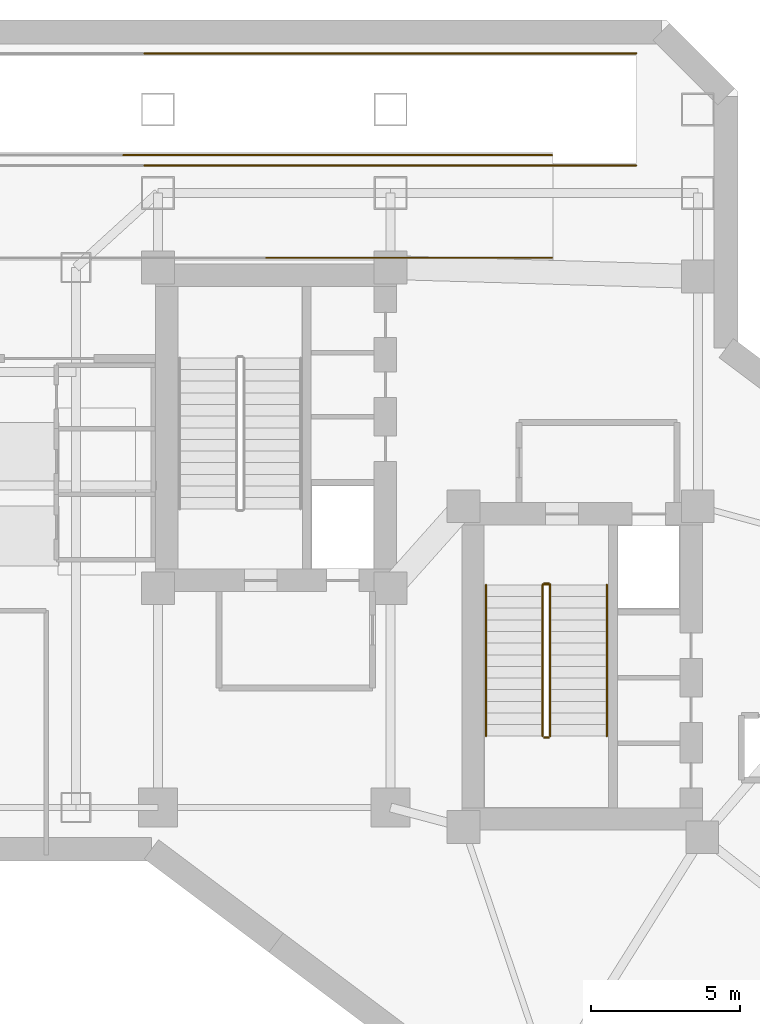
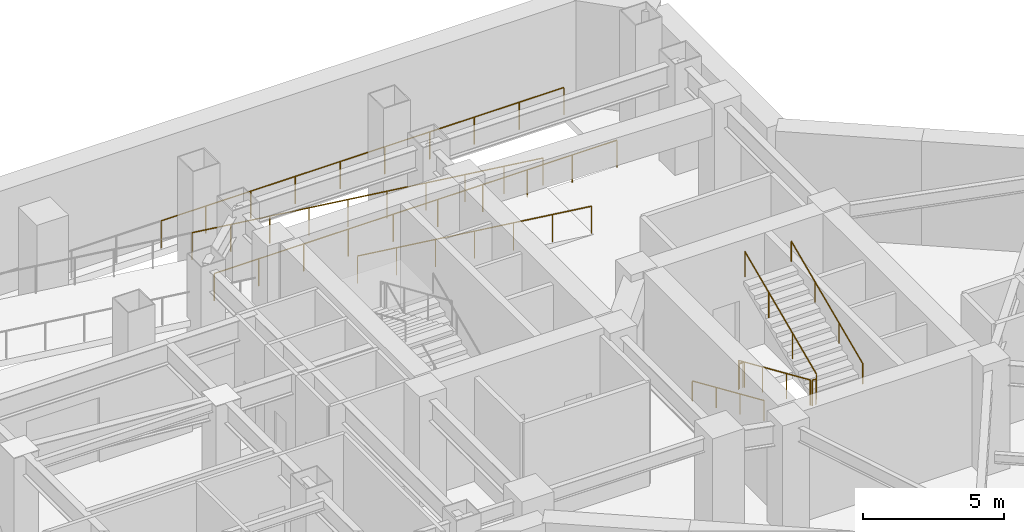
# One storey, part 9 of 9: 40 railings.
"""IFC4 building model written with IfcOpenShell, lengths in metres."""

from ifc_helpers import new_model, si_unit, direction, frame, origin, origin_2d, place, context, subcontext, project, spatial, circle, extrude, material, layer, layer_set, type_object, element, save


model = new_model("IFC4")

# Units and contexts
model_context = context("Model", 3, precision=1e-05, world=origin(), true_north=direction((0.0, 1.0)))
body_context = subcontext(model_context, "Body", "Model", "MODEL_VIEW")
ifc_project = project(units=[si_unit("LENGTHUNIT", "METRE"), si_unit("AREAUNIT", "SQUARE_METRE"), si_unit("VOLUMEUNIT", "CUBIC_METRE"), si_unit("PLANEANGLEUNIT", "RADIAN"), si_unit("MASSUNIT", "GRAM", prefix="KILO")], contexts=[model_context])

# Site, building, storey
site_placement = place(None, origin())
site = spatial("IfcSite", under=ifc_project, at=site_placement, CompositionType="ELEMENT")
building_placement = place(site_placement, origin())
building = spatial("IfcBuilding", under=site, at=building_placement, Name="Hatsunagi Terrace Concourse", CompositionType="ELEMENT")
storey_placement = place(building_placement, frame((0.0, 0.0, -4.800048828125)))
storey = spatial("IfcBuildingStorey", under=building, at=storey_placement, Name="B01", CompositionType="ELEMENT", Elevation=-4.800048828125)

# Railings
ifc_material_1 = material(Name="Stainless steel", Category="steel")
ifc_layer_1 = layer(ifc_material_1, 0.044921875)
ifc_layer_set_1 = layer_set([ifc_layer_1], Name="StairPitchHandrail_Tower2000")
railing_type_1 = type_object("IfcRailingType", Name="StairPitchHandrail_Tower2000", PredefinedType="HANDRAIL", material=ifc_layer_set_1)
railing_1_placement = place(storey_placement, frame((36.550048828125, 32.659912109375, 0.17138671875)))
element("IfcRailing", 1, at=railing_1_placement, inside=storey, type_object=railing_type_1, Name="B01 ST-B stair handrail 1", PredefinedType="HANDRAIL", context=body_context, shape_type="SweptSolid", body=[
    extrude(circle(Radius=0.02392578125, at=origin_2d()), frame((0.0, 0.0, 0.8759765625), z_axis=(0.0, -0.915445640336, 0.402441647435), x_axis=(1.0, 0.0, 0.0)), (0.0, 0.0, 1.0), 5.5380859375),
    extrude(circle(Radius=0.02099609375, at=origin_2d()), origin(), (0.0, 0.0, 1.0), 0.851806640625),
    extrude(circle(Radius=0.02099609375, at=origin_2d()), frame((0.0, -1.68994140625, 0.742919921875)), (0.0, 0.0, 1.0), 0.851806640625),
    extrude(circle(Radius=0.02099609375, at=origin_2d()), frame((0.0, -3.3798828125, 1.48583984375)), (0.0, 0.0, 1.0), 0.851806640625),
    extrude(circle(Radius=0.02099609375, at=origin_2d()), frame((0.0, -5.06982421875, 2.228759765625)), (0.0, 0.0, 1.0), 0.851806640625),
])
railing_2_placement = place(storey_placement, frame((40.60009765625, 27.590087890625, 2.571533203125)))
element("IfcRailing", 2, at=railing_2_placement, inside=storey, type_object=railing_type_1, Name="B01 ST-B stair handrail 2", PredefinedType="HANDRAIL", context=body_context, shape_type="SweptSolid", body=[
    extrude(circle(Radius=0.02392578125, at=origin_2d()), frame((0.0, 0.0, 0.8759765625), z_axis=(0.0, 0.915461880969, 0.402404702373), x_axis=(-1.0, 0.0, 0.0)), (0.0, 0.0, 1.0), 5.5380859375),
    extrude(circle(Radius=0.02099609375, at=origin_2d()), origin(), (0.0, 0.0, 1.0), 0.851806640625),
    extrude(circle(Radius=0.02099609375, at=origin_2d()), frame((0.0, 1.68994140625, 0.742919921875)), (0.0, 0.0, 1.0), 0.851806640625),
    extrude(circle(Radius=0.02099609375, at=origin_2d()), frame((0.0, 3.3798828125, 1.485595703125)), (0.0, 0.0, 1.0), 0.851806640625),
    extrude(circle(Radius=0.02099609375, at=origin_2d()), frame((0.0, 5.06982421875, 2.228515625)), (0.0, 0.0, 1.0), 0.851806640625),
])
ifc_material_2 = material(Name="Stainless steel", Category="steel")
ifc_layer_2 = layer(ifc_material_2, 0.06005859375)
ifc_layer_set_2 = layer_set([ifc_layer_2], Name="StairWellGuard_Tower2000")
railing_type_2 = type_object("IfcRailingType", Name="StairWellGuard_Tower2000", PredefinedType="BALUSTRADE", material=ifc_layer_set_2)
railing_3_placement = place(storey_placement, frame((38.449951171875, 32.659912109375, 0.17138671875)))
element("IfcRailing", 3, at=railing_3_placement, inside=storey, type_object=railing_type_2, Name="B01 ST-B stair guard 1", PredefinedType="BALUSTRADE", context=body_context, shape_type="SweptSolid", body=[
    extrude(circle(Radius=0.02392578125, at=origin_2d()), frame((0.0, 0.0, 1.09619140625), z_axis=(0.0, -0.915445640336, 0.402441647435), x_axis=(1.0, 0.0, 0.0)), (0.0, 0.0, 1.0), 5.5380859375),
    extrude(circle(Radius=0.02099609375, at=origin_2d()), origin(), (0.0, 0.0, 1.0), 1.072021484375),
    extrude(circle(Radius=0.02099609375, at=origin_2d()), frame((0.0, -1.68994140625, 0.742919921875)), (0.0, 0.0, 1.0), 1.072021484375),
    extrude(circle(Radius=0.02099609375, at=origin_2d()), frame((0.0, -3.3798828125, 1.48583984375)), (0.0, 0.0, 1.0), 1.072021484375),
    extrude(circle(Radius=0.02099609375, at=origin_2d()), frame((0.0, -5.06982421875, 2.228759765625)), (0.0, 0.0, 1.0), 1.072021484375),
])
railing_4_placement = place(storey_placement, frame((38.5, 27.5400390625, 2.400146484375)))
element("IfcRailing", 4, at=railing_4_placement, inside=storey, type_object=railing_type_2, Name="B01 ST-B stair guard 2", PredefinedType="BALUSTRADE", context=body_context, shape_type="SweptSolid", body=[
    extrude(circle(Radius=0.02392578125, at=origin_2d()), frame((0.0, 0.0, 1.09619140625), z_axis=(1.0, 0.0, 0.0), x_axis=(0.0, 1.0, 0.0)), (0.0, 0.0, 1.0), 0.14990234375),
    extrude(circle(Radius=0.02099609375, at=origin_2d()), origin(), (0.0, 0.0, 1.0), 1.072021484375),
    extrude(circle(Radius=0.02099609375, at=origin_2d()), frame((0.14990234375, 0.0, 0.0)), (0.0, 0.0, 1.0), 1.072021484375),
])
railing_5_placement = place(storey_placement, frame((38.699951171875, 27.590087890625, 2.571533203125)))
element("IfcRailing", 5, at=railing_5_placement, inside=storey, type_object=railing_type_2, Name="B01 ST-B stair guard 3", PredefinedType="BALUSTRADE", context=body_context, shape_type="SweptSolid", body=[
    extrude(circle(Radius=0.02392578125, at=origin_2d()), frame((0.0, 0.0, 1.09619140625), z_axis=(0.0, 0.915461880969, 0.402404702373), x_axis=(-1.0, 0.0, 0.0)), (0.0, 0.0, 1.0), 5.5380859375),
    extrude(circle(Radius=0.02099609375, at=origin_2d()), origin(), (0.0, 0.0, 1.0), 1.072021484375),
    extrude(circle(Radius=0.02099609375, at=origin_2d()), frame((0.0, 1.68994140625, 0.742919921875)), (0.0, 0.0, 1.0), 1.072021484375),
    extrude(circle(Radius=0.02099609375, at=origin_2d()), frame((0.0, 3.3798828125, 1.485595703125)), (0.0, 0.0, 1.0), 1.072021484375),
    extrude(circle(Radius=0.02099609375, at=origin_2d()), frame((0.0, 5.06982421875, 2.228515625)), (0.0, 0.0, 1.0), 1.072021484375),
])
railing_6_placement = place(storey_placement, frame((38.5, 32.7099609375, 0.0)))
element("IfcRailing", 6, at=railing_6_placement, inside=storey, type_object=railing_type_2, Name="B01 ST-B stair guard 4", PredefinedType="BALUSTRADE", context=body_context, shape_type="SweptSolid", body=[
    extrude(circle(Radius=0.02392578125, at=origin_2d()), frame((0.0, 0.0, 1.09619140625), z_axis=(1.0, 0.0, 0.0), x_axis=(0.0, 1.0, 0.0)), (0.0, 0.0, 1.0), 0.14990234375),
    extrude(circle(Radius=0.02099609375, at=origin_2d()), origin(), (0.0, 0.0, 1.0), 1.072021484375),
    extrude(circle(Radius=0.02099609375, at=origin_2d()), frame((0.14990234375, 0.0, 0.0)), (0.0, 0.0, 1.0), 1.072021484375),
])
ifc_material_3 = material(Name="Stainless Steel SUS316 Post-and-Rail Guard", Category="steel")
ifc_layer_3 = layer(ifc_material_3, 0.080078125)
ifc_layer_set_3 = layer_set([ifc_layer_3], Name="TerracePlantedGuardRail_1200")
railing_type_3 = type_object("IfcRailingType", Name="TerracePlantedGuardRail_1200", PredefinedType="GUARDRAIL", material=ifc_layer_set_3)
railing_7_placement = place(storey_placement, frame((38.449951171875, 32.679931640625, 0.0)))
element("IfcRailing", 7, at=railing_7_placement, inside=storey, type_object=railing_type_3, Name="Stair ST-B Well Closure Guard B01", PredefinedType="GUARDRAIL", context=body_context, shape_type="SweptSolid", body=[
    extrude(circle(Radius=0.02392578125, at=origin_2d()), frame((0.0, 0.0, 1.09619140625), z_axis=(1.0, 0.0, 0.0), x_axis=(0.0, 1.0, 0.0)), (0.0, 0.0, 1.0), 0.25),
    extrude(circle(Radius=0.02099609375, at=origin_2d()), origin(), (0.0, 0.0, 1.0), 1.072021484375),
    extrude(circle(Radius=0.02099609375, at=origin_2d()), frame((0.25, 0.0, 0.0)), (0.0, 0.0, 1.0), 1.072021484375),
])
railing_8_placement = place(storey_placement, frame((41.580078125, 46.719970703125, 0.0)))
element("IfcRailing", 8, at=railing_8_placement, inside=storey, type_object=railing_type_3, Name="B01 Car Park Ramp Well Guardrail GRD-02 #1", PredefinedType="GUARDRAIL", context=body_context, shape_type="SweptSolid", body=[
    extrude(circle(Radius=0.02392578125, at=origin_2d()), frame((0.0, 0.0, 1.17578125), z_axis=(-1.0, 0.0, 0.0), x_axis=(0.0, -1.0, 0.0)), (0.0, 0.0, 1.0), 1.8271484375),
    extrude(circle(Radius=0.02099609375, at=origin_2d()), origin(), (0.0, 0.0, 1.0), 1.15185546875),
    extrude(circle(Radius=0.02099609375, at=origin_2d()), frame((-1.8271484375, 0.0, 0.0)), (0.0, 0.0, 1.0), 1.15185546875),
])
railing_9_placement = place(storey_placement, frame((39.7451171875, 46.719970703125, 0.0)))
element("IfcRailing", 9, at=railing_9_placement, inside=storey, type_object=railing_type_3, Name="B01 Car Park Ramp Well Guardrail GRD-02 #2", PredefinedType="GUARDRAIL", context=body_context, shape_type="SweptSolid", body=[
    extrude(circle(Radius=0.02392578125, at=origin_2d()), frame((0.0, 0.0, 1.17578125), z_axis=(-1.0, 0.0, 0.0), x_axis=(0.0, -1.0, 0.0)), (0.0, 0.0, 1.0), 1.82421875),
    extrude(circle(Radius=0.02099609375, at=origin_2d()), origin(), (0.0, 0.0, 1.0), 1.15185546875),
    extrude(circle(Radius=0.02099609375, at=origin_2d()), frame((-1.82421875, 0.0, 0.0)), (0.0, 0.0, 1.0), 1.15185546875),
])
railing_10_placement = place(storey_placement, frame((37.9130859375, 46.719970703125, 0.0)))
element("IfcRailing", 10, at=railing_10_placement, inside=storey, type_object=railing_type_3, Name="B01 Car Park Ramp Well Guardrail GRD-02 #3", PredefinedType="GUARDRAIL", context=body_context, shape_type="SweptSolid", body=[
    extrude(circle(Radius=0.02392578125, at=origin_2d()), frame((0.0, 0.0, 1.17578125), z_axis=(-1.0, 0.0, 0.0), x_axis=(0.0, -1.0, 0.0)), (0.0, 0.0, 1.0), 1.822998046875),
    extrude(circle(Radius=0.02099609375, at=origin_2d()), origin(), (0.0, 0.0, 1.0), 1.15185546875),
    extrude(circle(Radius=0.02099609375, at=origin_2d()), frame((-1.822998046875, 0.0, 0.0)), (0.0, 0.0, 1.0), 1.15185546875),
])
railing_11_placement = place(storey_placement, frame((36.08203125, 46.719970703125, 0.0)))
element("IfcRailing", 11, at=railing_11_placement, inside=storey, type_object=railing_type_3, Name="B01 Car Park Ramp Well Guardrail GRD-02 #4", PredefinedType="GUARDRAIL", context=body_context, shape_type="SweptSolid", body=[
    extrude(circle(Radius=0.02392578125, at=origin_2d()), frame((0.0, 0.0, 1.17578125), z_axis=(-1.0, 0.0, 0.0), x_axis=(0.0, -1.0, 0.0)), (0.0, 0.0, 1.0), 1.823974609375),
    extrude(circle(Radius=0.02099609375, at=origin_2d()), origin(), (0.0, 0.0, 1.0), 1.15185546875),
    extrude(circle(Radius=0.02099609375, at=origin_2d()), frame((-1.823974609375, 0.0, 0.0)), (0.0, 0.0, 1.0), 1.15185546875),
])
railing_12_placement = place(storey_placement, frame((34.25, 46.719970703125, 0.0)))
element("IfcRailing", 12, at=railing_12_placement, inside=storey, type_object=railing_type_3, Name="B01 Car Park Ramp Well Guardrail GRD-02 #5", PredefinedType="GUARDRAIL", context=body_context, shape_type="SweptSolid", body=[
    extrude(circle(Radius=0.02392578125, at=origin_2d()), frame((0.0, 0.0, 1.17578125), z_axis=(-1.0, 0.0, 0.0), x_axis=(0.0, -1.0, 0.0)), (0.0, 0.0, 1.0), 1.822998046875),
    extrude(circle(Radius=0.02099609375, at=origin_2d()), origin(), (0.0, 0.0, 1.0), 1.15185546875),
    extrude(circle(Radius=0.02099609375, at=origin_2d()), frame((-1.822998046875, 0.0, 0.0)), (0.0, 0.0, 1.0), 1.15185546875),
])
railing_13_placement = place(storey_placement, frame((32.4189453125, 46.719970703125, 0.0)))
element("IfcRailing", 13, at=railing_13_placement, inside=storey, type_object=railing_type_3, Name="B01 Car Park Ramp Well Guardrail GRD-02 #6", PredefinedType="GUARDRAIL", context=body_context, shape_type="SweptSolid", body=[
    extrude(circle(Radius=0.02392578125, at=origin_2d()), frame((0.0, 0.0, 1.17578125), z_axis=(-1.0, 0.0, 0.0), x_axis=(0.0, -1.0, 0.0)), (0.0, 0.0, 1.0), 1.823974609375),
    extrude(circle(Radius=0.02099609375, at=origin_2d()), origin(), (0.0, 0.0, 1.0), 1.15185546875),
    extrude(circle(Radius=0.02099609375, at=origin_2d()), frame((-1.823974609375, 0.0, 0.0)), (0.0, 0.0, 1.0), 1.15185546875),
])
for number, where, name in (
    (14, (30.5869140625, 46.719970703125, 0.0), "B01 Car Park Ramp Well Guardrail GRD-02 #7"),
    (15, (28.756103515625, 46.719970703125, 0.0), "B01 Car Park Ramp Well Guardrail GRD-02 #8"),
):
    element("IfcRailing", number, at=place(storey_placement, frame(where)), inside=storey, type_object=railing_type_3, Name=name, PredefinedType="GUARDRAIL", context=body_context, shape_type="SweptSolid", body=[
        extrude(circle(Radius=0.02392578125, at=origin_2d()), frame((0.0, 0.0, 1.17578125), z_axis=(-1.0, 0.0, 0.0), x_axis=(0.0, -1.0, 0.0)), (0.0, 0.0, 1.0), 1.822998046875),
        extrude(circle(Radius=0.02099609375, at=origin_2d()), origin(), (0.0, 0.0, 1.0), 1.15185546875),
        extrude(circle(Radius=0.02099609375, at=origin_2d()), frame((-1.822998046875, 0.0, 0.0)), (0.0, 0.0, 1.0), 1.15185546875),
    ])
railing_14_placement = place(storey_placement, frame((26.925048828125, 46.719970703125, 0.0)))
element("IfcRailing", 16, at=railing_14_placement, inside=storey, type_object=railing_type_3, Name="B01 Car Park Ramp Well Guardrail GRD-02 #9", PredefinedType="GUARDRAIL", context=body_context, shape_type="SweptSolid", body=[
    extrude(circle(Radius=0.02392578125, at=origin_2d()), frame((0.0, 0.0, 1.17578125), z_axis=(-1.0, 0.0, 0.0), x_axis=(0.0, -1.0, 0.0)), (0.0, 0.0, 1.0), 1.823974609375),
    extrude(circle(Radius=0.02099609375, at=origin_2d()), origin(), (0.0, 0.0, 1.0), 1.15185546875),
    extrude(circle(Radius=0.02099609375, at=origin_2d()), frame((-1.823974609375, 0.0, 0.0)), (0.0, 0.0, 1.0), 1.15185546875),
])
railing_15_placement = place(storey_placement, frame((25.10107421875, 50.47998046875, 0.0)))
element("IfcRailing", 17, at=railing_15_placement, inside=storey, type_object=railing_type_3, Name="B01 Car Park Ramp Well Guardrail GRD-02 #37", PredefinedType="GUARDRAIL", context=body_context, shape_type="SweptSolid", body=[
    extrude(circle(Radius=0.02392578125, at=origin_2d()), frame((0.0, 0.0, 1.17578125), z_axis=(1.0, 0.0, 0.0), x_axis=(0.0, 1.0, 0.0)), (0.0, 0.0, 1.0), 1.823974609375),
    extrude(circle(Radius=0.02099609375, at=origin_2d()), origin(), (0.0, 0.0, 1.0), 1.15185546875),
    extrude(circle(Radius=0.02099609375, at=origin_2d()), frame((1.823974609375, 0.0, 0.0)), (0.0, 0.0, 1.0), 1.15185546875),
])
for number, where, name in (
    (18, (26.93310546875, 50.47998046875, 0.0), "B01 Car Park Ramp Well Guardrail GRD-02 #38"),
    (19, (28.763916015625, 50.47998046875, 0.0), "B01 Car Park Ramp Well Guardrail GRD-02 #39"),
):
    element("IfcRailing", number, at=place(storey_placement, frame(where)), inside=storey, type_object=railing_type_3, Name=name, PredefinedType="GUARDRAIL", context=body_context, shape_type="SweptSolid", body=[
        extrude(circle(Radius=0.02392578125, at=origin_2d()), frame((0.0, 0.0, 1.17578125), z_axis=(1.0, 0.0, 0.0), x_axis=(0.0, 1.0, 0.0)), (0.0, 0.0, 1.0), 1.822998046875),
        extrude(circle(Radius=0.02099609375, at=origin_2d()), origin(), (0.0, 0.0, 1.0), 1.15185546875),
        extrude(circle(Radius=0.02099609375, at=origin_2d()), frame((1.822998046875, 0.0, 0.0)), (0.0, 0.0, 1.0), 1.15185546875),
    ])
railing_16_placement = place(storey_placement, frame((30.594970703125, 50.47998046875, 0.0)))
element("IfcRailing", 20, at=railing_16_placement, inside=storey, type_object=railing_type_3, Name="B01 Car Park Ramp Well Guardrail GRD-02 #40", PredefinedType="GUARDRAIL", context=body_context, shape_type="SweptSolid", body=[
    extrude(circle(Radius=0.02392578125, at=origin_2d()), frame((0.0, 0.0, 1.17578125), z_axis=(1.0, 0.0, 0.0), x_axis=(0.0, 1.0, 0.0)), (0.0, 0.0, 1.0), 1.823974609375),
    extrude(circle(Radius=0.02099609375, at=origin_2d()), origin(), (0.0, 0.0, 1.0), 1.15185546875),
    extrude(circle(Radius=0.02099609375, at=origin_2d()), frame((1.823974609375, 0.0, 0.0)), (0.0, 0.0, 1.0), 1.15185546875),
])
railing_17_placement = place(storey_placement, frame((32.427001953125, 50.47998046875, 0.0)))
element("IfcRailing", 21, at=railing_17_placement, inside=storey, type_object=railing_type_3, Name="B01 Car Park Ramp Well Guardrail GRD-02 #41", PredefinedType="GUARDRAIL", context=body_context, shape_type="SweptSolid", body=[
    extrude(circle(Radius=0.02392578125, at=origin_2d()), frame((0.0, 0.0, 1.17578125), z_axis=(1.0, 0.0, 0.0), x_axis=(0.0, 1.0, 0.0)), (0.0, 0.0, 1.0), 1.822998046875),
    extrude(circle(Radius=0.02099609375, at=origin_2d()), origin(), (0.0, 0.0, 1.0), 1.15185546875),
    extrude(circle(Radius=0.02099609375, at=origin_2d()), frame((1.822998046875, 0.0, 0.0)), (0.0, 0.0, 1.0), 1.15185546875),
])
railing_18_placement = place(storey_placement, frame((34.258056640625, 50.47998046875, 0.0)))
element("IfcRailing", 22, at=railing_18_placement, inside=storey, type_object=railing_type_3, Name="B01 Car Park Ramp Well Guardrail GRD-02 #42", PredefinedType="GUARDRAIL", context=body_context, shape_type="SweptSolid", body=[
    extrude(circle(Radius=0.02392578125, at=origin_2d()), frame((0.0, 0.0, 1.17578125), z_axis=(1.0, 0.0, 0.0), x_axis=(0.0, 1.0, 0.0)), (0.0, 0.0, 1.0), 1.823974609375),
    extrude(circle(Radius=0.02099609375, at=origin_2d()), origin(), (0.0, 0.0, 1.0), 1.15185546875),
    extrude(circle(Radius=0.02099609375, at=origin_2d()), frame((1.823974609375, 0.0, 0.0)), (0.0, 0.0, 1.0), 1.15185546875),
])
railing_19_placement = place(storey_placement, frame((36.090087890625, 50.47998046875, 0.0)))
element("IfcRailing", 23, at=railing_19_placement, inside=storey, type_object=railing_type_3, Name="B01 Car Park Ramp Well Guardrail GRD-02 #43", PredefinedType="GUARDRAIL", context=body_context, shape_type="SweptSolid", body=[
    extrude(circle(Radius=0.02392578125, at=origin_2d()), frame((0.0, 0.0, 1.17578125), z_axis=(1.0, 0.0, 0.0), x_axis=(0.0, 1.0, 0.0)), (0.0, 0.0, 1.0), 1.822998046875),
    extrude(circle(Radius=0.02099609375, at=origin_2d()), origin(), (0.0, 0.0, 1.0), 1.15185546875),
    extrude(circle(Radius=0.02099609375, at=origin_2d()), frame((1.822998046875, 0.0, 0.0)), (0.0, 0.0, 1.0), 1.15185546875),
])
railing_20_placement = place(storey_placement, frame((37.9208984375, 50.47998046875, 0.0)))
element("IfcRailing", 24, at=railing_20_placement, inside=storey, type_object=railing_type_3, Name="B01 Car Park Ramp Well Guardrail GRD-02 #44", PredefinedType="GUARDRAIL", context=body_context, shape_type="SweptSolid", body=[
    extrude(circle(Radius=0.02392578125, at=origin_2d()), frame((0.0, 0.0, 1.17578125), z_axis=(1.0, 0.0, 0.0), x_axis=(0.0, 1.0, 0.0)), (0.0, 0.0, 1.0), 1.82421875),
    extrude(circle(Radius=0.02099609375, at=origin_2d()), origin(), (0.0, 0.0, 1.0), 1.15185546875),
    extrude(circle(Radius=0.02099609375, at=origin_2d()), frame((1.82421875, 0.0, 0.0)), (0.0, 0.0, 1.0), 1.15185546875),
])
railing_21_placement = place(storey_placement, frame((39.7529296875, 50.47998046875, 0.0)))
element("IfcRailing", 25, at=railing_21_placement, inside=storey, type_object=railing_type_3, Name="B01 Car Park Ramp Well Guardrail GRD-02 #45", PredefinedType="GUARDRAIL", context=body_context, shape_type="SweptSolid", body=[
    extrude(circle(Radius=0.02392578125, at=origin_2d()), frame((0.0, 0.0, 1.17578125), z_axis=(1.0, 0.0, 0.0), x_axis=(0.0, 1.0, 0.0)), (0.0, 0.0, 1.0), 1.8271484375),
    extrude(circle(Radius=0.02099609375, at=origin_2d()), origin(), (0.0, 0.0, 1.0), 1.15185546875),
    extrude(circle(Radius=0.02099609375, at=origin_2d()), frame((1.8271484375, 0.0, 0.0)), (0.0, 0.0, 1.0), 1.15185546875),
])
railing_22_placement = place(storey_placement, frame((38.760009765625, 43.6298828125, 0.005126953125)))
element("IfcRailing", 26, at=railing_22_placement, inside=storey, type_object=railing_type_3, Name="B01 Vehicle Ramp R2 Sloped Side Guardrail GRD-02 S #1", PredefinedType="GUARDRAIL", context=body_context, shape_type="SweptSolid", body=[
    extrude(circle(Radius=0.02392578125, at=origin_2d()), frame((0.0, 0.0, 1.17578125), z_axis=(-0.99228957038, 0.0, 0.123941149404), x_axis=(0.0, -1.0, 0.0)), (0.0, 0.0, 1.0), 1.60546875),
    extrude(circle(Radius=0.02099609375, at=origin_2d()), origin(), (0.0, 0.0, 1.0), 1.15185546875),
    extrude(circle(Radius=0.02099609375, at=origin_2d()), frame((-1.593017578125, 0.0, 0.198974609375)), (0.0, 0.0, 1.0), 1.15185546875),
])
railing_23_placement = place(storey_placement, frame((37.158935546875, 43.6298828125, 0.205078125)))
element("IfcRailing", 27, at=railing_23_placement, inside=storey, type_object=railing_type_3, Name="B01 Vehicle Ramp R2 Sloped Side Guardrail GRD-02 S #2", PredefinedType="GUARDRAIL", context=body_context, shape_type="SweptSolid", body=[
    extrude(circle(Radius=0.02392578125, at=origin_2d()), frame((0.0, 0.0, 1.17578125), z_axis=(-0.992240278382, 0.0, 0.124335151734), x_axis=(0.0, -1.0, 0.0)), (0.0, 0.0, 1.0), 1.600341796875),
    extrude(circle(Radius=0.02099609375, at=origin_2d()), origin(), (0.0, 0.0, 1.0), 1.15185546875),
    extrude(circle(Radius=0.02099609375, at=origin_2d()), frame((-1.587890625, 0.0, 0.198974609375)), (0.0, 0.0, 1.0), 1.15185546875),
])
railing_24_placement = place(storey_placement, frame((35.56298828125, 43.6298828125, 0.405029296875)))
element("IfcRailing", 28, at=railing_24_placement, inside=storey, type_object=railing_type_3, Name="B01 Vehicle Ramp R2 Sloped Side Guardrail GRD-02 S #3", PredefinedType="GUARDRAIL", context=body_context, shape_type="SweptSolid", body=[
    extrude(circle(Radius=0.02392578125, at=origin_2d()), frame((0.0, 0.0, 1.17578125), z_axis=(-0.992324721938, 0.0, 0.12365939605), x_axis=(0.0, -1.0, 0.0)), (0.0, 0.0, 1.0), 1.60107421875),
    extrude(circle(Radius=0.02099609375, at=origin_2d()), origin(), (0.0, 0.0, 1.0), 1.15185546875),
    extrude(circle(Radius=0.02099609375, at=origin_2d()), frame((-1.5888671875, 0.0, 0.197998046875)), (0.0, 0.0, 1.0), 1.15185546875),
])
railing_25_placement = place(storey_placement, frame((33.966064453125, 43.6298828125, 0.60400390625)))
element("IfcRailing", 29, at=railing_25_placement, inside=storey, type_object=railing_type_3, Name="B01 Vehicle Ramp R2 Sloped Side Guardrail GRD-02 S #4", PredefinedType="GUARDRAIL", context=body_context, shape_type="SweptSolid", body=[
    extrude(circle(Radius=0.02392578125, at=origin_2d()), frame((0.0, 0.0, 1.17578125), z_axis=(-0.99225205719, 0.0, 0.124241116394), x_axis=(0.0, -1.0, 0.0)), (0.0, 0.0, 1.0), 1.6015625),
    extrude(circle(Radius=0.02099609375, at=origin_2d()), origin(), (0.0, 0.0, 1.0), 1.15185546875),
    extrude(circle(Radius=0.02099609375, at=origin_2d()), frame((-1.589111328125, 0.0, 0.198974609375)), (0.0, 0.0, 1.0), 1.15185546875),
])
railing_26_placement = place(storey_placement, frame((32.368896484375, 43.6298828125, 0.803955078125)))
element("IfcRailing", 30, at=railing_26_placement, inside=storey, type_object=railing_type_3, Name="B01 Vehicle Ramp R2 Sloped Side Guardrail GRD-02 S #5", PredefinedType="GUARDRAIL", context=body_context, shape_type="SweptSolid", body=[
    extrude(circle(Radius=0.02392578125, at=origin_2d()), frame((0.0, 0.0, 1.17578125), z_axis=(-0.992315386925, 0.0, 0.123734283333), x_axis=(0.0, -1.0, 0.0)), (0.0, 0.0, 1.0), 1.60009765625),
    extrude(circle(Radius=0.02099609375, at=origin_2d()), origin(), (0.0, 0.0, 1.0), 1.15185546875),
    extrude(circle(Radius=0.02099609375, at=origin_2d()), frame((-1.587890625, 0.0, 0.197998046875)), (0.0, 0.0, 1.0), 1.15185546875),
])
railing_27_placement = place(storey_placement, frame((30.77294921875, 43.6298828125, 1.0029296875)))
element("IfcRailing", 31, at=railing_27_placement, inside=storey, type_object=railing_type_3, Name="B01 Vehicle Ramp R2 Sloped Side Guardrail GRD-02 S #6", PredefinedType="GUARDRAIL", context=body_context, shape_type="SweptSolid", body=[
    extrude(circle(Radius=0.02392578125, at=origin_2d()), frame((0.0, 0.0, 1.17578125), z_axis=(-0.992230893971, 0.0, 0.124410019896), x_axis=(0.0, -1.0, 0.0)), (0.0, 0.0, 1.0), 1.601318359375),
    extrude(circle(Radius=0.02099609375, at=origin_2d()), origin(), (0.0, 0.0, 1.0), 1.15185546875),
    extrude(circle(Radius=0.02099609375, at=origin_2d()), frame((-1.5888671875, 0.0, 0.19921875)), (0.0, 0.0, 1.0), 1.15185546875),
])
railing_28_placement = place(storey_placement, frame((38.760009765625, 47.070068359375, 0.005126953125)))
element("IfcRailing", 32, at=railing_28_placement, inside=storey, type_object=railing_type_3, Name="B01 Vehicle Ramp R2 Sloped Side Guardrail GRD-02 N #1", PredefinedType="GUARDRAIL", context=body_context, shape_type="SweptSolid", body=[
    extrude(circle(Radius=0.02392578125, at=origin_2d()), frame((0.0, 0.0, 1.17578125), z_axis=(-0.99228957038, 0.0, 0.123941149404), x_axis=(0.0, -1.0, 0.0)), (0.0, 0.0, 1.0), 1.60546875),
    extrude(circle(Radius=0.02099609375, at=origin_2d()), origin(), (0.0, 0.0, 1.0), 1.15185546875),
    extrude(circle(Radius=0.02099609375, at=origin_2d()), frame((-1.593017578125, 0.0, 0.198974609375)), (0.0, 0.0, 1.0), 1.15185546875),
])
railing_29_placement = place(storey_placement, frame((37.158935546875, 47.070068359375, 0.205078125)))
element("IfcRailing", 33, at=railing_29_placement, inside=storey, type_object=railing_type_3, Name="B01 Vehicle Ramp R2 Sloped Side Guardrail GRD-02 N #2", PredefinedType="GUARDRAIL", context=body_context, shape_type="SweptSolid", body=[
    extrude(circle(Radius=0.02392578125, at=origin_2d()), frame((0.0, 0.0, 1.17578125), z_axis=(-0.992240278382, 0.0, 0.124335151734), x_axis=(0.0, -1.0, 0.0)), (0.0, 0.0, 1.0), 1.600341796875),
    extrude(circle(Radius=0.02099609375, at=origin_2d()), origin(), (0.0, 0.0, 1.0), 1.15185546875),
    extrude(circle(Radius=0.02099609375, at=origin_2d()), frame((-1.587890625, 0.0, 0.198974609375)), (0.0, 0.0, 1.0), 1.15185546875),
])
railing_30_placement = place(storey_placement, frame((35.56298828125, 47.070068359375, 0.405029296875)))
element("IfcRailing", 34, at=railing_30_placement, inside=storey, type_object=railing_type_3, Name="B01 Vehicle Ramp R2 Sloped Side Guardrail GRD-02 N #3", PredefinedType="GUARDRAIL", context=body_context, shape_type="SweptSolid", body=[
    extrude(circle(Radius=0.02392578125, at=origin_2d()), frame((0.0, 0.0, 1.17578125), z_axis=(-0.992324721938, 0.0, 0.12365939605), x_axis=(0.0, -1.0, 0.0)), (0.0, 0.0, 1.0), 1.60107421875),
    extrude(circle(Radius=0.02099609375, at=origin_2d()), origin(), (0.0, 0.0, 1.0), 1.15185546875),
    extrude(circle(Radius=0.02099609375, at=origin_2d()), frame((-1.5888671875, 0.0, 0.197998046875)), (0.0, 0.0, 1.0), 1.15185546875),
])
railing_31_placement = place(storey_placement, frame((33.966064453125, 47.070068359375, 0.60400390625)))
element("IfcRailing", 35, at=railing_31_placement, inside=storey, type_object=railing_type_3, Name="B01 Vehicle Ramp R2 Sloped Side Guardrail GRD-02 N #4", PredefinedType="GUARDRAIL", context=body_context, shape_type="SweptSolid", body=[
    extrude(circle(Radius=0.02392578125, at=origin_2d()), frame((0.0, 0.0, 1.17578125), z_axis=(-0.99225205719, 0.0, 0.124241116394), x_axis=(0.0, -1.0, 0.0)), (0.0, 0.0, 1.0), 1.6015625),
    extrude(circle(Radius=0.02099609375, at=origin_2d()), origin(), (0.0, 0.0, 1.0), 1.15185546875),
    extrude(circle(Radius=0.02099609375, at=origin_2d()), frame((-1.589111328125, 0.0, 0.198974609375)), (0.0, 0.0, 1.0), 1.15185546875),
])
railing_32_placement = place(storey_placement, frame((32.368896484375, 47.070068359375, 0.803955078125)))
element("IfcRailing", 36, at=railing_32_placement, inside=storey, type_object=railing_type_3, Name="B01 Vehicle Ramp R2 Sloped Side Guardrail GRD-02 N #5", PredefinedType="GUARDRAIL", context=body_context, shape_type="SweptSolid", body=[
    extrude(circle(Radius=0.02392578125, at=origin_2d()), frame((0.0, 0.0, 1.17578125), z_axis=(-0.992315386925, 0.0, 0.123734283333), x_axis=(0.0, -1.0, 0.0)), (0.0, 0.0, 1.0), 1.60009765625),
    extrude(circle(Radius=0.02099609375, at=origin_2d()), origin(), (0.0, 0.0, 1.0), 1.15185546875),
    extrude(circle(Radius=0.02099609375, at=origin_2d()), frame((-1.587890625, 0.0, 0.197998046875)), (0.0, 0.0, 1.0), 1.15185546875),
])
railing_33_placement = place(storey_placement, frame((30.77294921875, 47.070068359375, 1.0029296875)))
element("IfcRailing", 37, at=railing_33_placement, inside=storey, type_object=railing_type_3, Name="B01 Vehicle Ramp R2 Sloped Side Guardrail GRD-02 N #6", PredefinedType="GUARDRAIL", context=body_context, shape_type="SweptSolid", body=[
    extrude(circle(Radius=0.02392578125, at=origin_2d()), frame((0.0, 0.0, 1.17578125), z_axis=(-0.992230893971, 0.0, 0.124410019896), x_axis=(0.0, -1.0, 0.0)), (0.0, 0.0, 1.0), 1.601318359375),
    extrude(circle(Radius=0.02099609375, at=origin_2d()), origin(), (0.0, 0.0, 1.0), 1.15185546875),
    extrude(circle(Radius=0.02099609375, at=origin_2d()), frame((-1.5888671875, 0.0, 0.19921875)), (0.0, 0.0, 1.0), 1.15185546875),
])
railing_34_placement = place(storey_placement, frame((29.176025390625, 47.070068359375, 1.203125)))
element("IfcRailing", 38, at=railing_34_placement, inside=storey, type_object=railing_type_3, Name="B01 Vehicle Ramp R2 Sloped Side Guardrail GRD-02 N #7", PredefinedType="GUARDRAIL", context=body_context, shape_type="SweptSolid", body=[
    extrude(circle(Radius=0.02392578125, at=origin_2d()), frame((0.0, 0.0, 1.17578125), z_axis=(-0.99225205719, 0.0, 0.124241116394), x_axis=(0.0, -1.0, 0.0)), (0.0, 0.0, 1.0), 1.6015625),
    extrude(circle(Radius=0.02099609375, at=origin_2d()), origin(), (0.0, 0.0, 1.0), 1.15185546875),
    extrude(circle(Radius=0.02099609375, at=origin_2d()), frame((-1.589111328125, 0.0, 0.198974609375)), (0.0, 0.0, 1.0), 1.15185546875),
])
railing_35_placement = place(storey_placement, frame((27.5791015625, 47.070068359375, 1.403076171875)))
element("IfcRailing", 39, at=railing_35_placement, inside=storey, type_object=railing_type_3, Name="B01 Vehicle Ramp R2 Sloped Side Guardrail GRD-02 N #8", PredefinedType="GUARDRAIL", context=body_context, shape_type="SweptSolid", body=[
    extrude(circle(Radius=0.02392578125, at=origin_2d()), frame((0.0, 0.0, 1.17578125), z_axis=(-0.992317722268, 0.0, 0.123715553076), x_axis=(0.0, -1.0, 0.0)), (0.0, 0.0, 1.0), 1.600341796875),
    extrude(circle(Radius=0.02099609375, at=origin_2d()), origin(), (0.0, 0.0, 1.0), 1.15185546875),
    extrude(circle(Radius=0.02099609375, at=origin_2d()), frame((-1.588134765625, 0.0, 0.197998046875)), (0.0, 0.0, 1.0), 1.15185546875),
])
railing_36_placement = place(storey_placement, frame((25.98291015625, 47.070068359375, 1.60205078125)))
element("IfcRailing", 40, at=railing_36_placement, inside=storey, type_object=railing_type_3, Name="B01 Vehicle Ramp R2 Sloped Side Guardrail GRD-02 N #9", PredefinedType="GUARDRAIL", context=body_context, shape_type="SweptSolid", body=[
    extrude(circle(Radius=0.02392578125, at=origin_2d()), frame((0.0, 0.0, 1.17578125), z_axis=(-0.992249703566, 0.0, 0.124259912171), x_axis=(0.0, -1.0, 0.0)), (0.0, 0.0, 1.0), 1.601318359375),
    extrude(circle(Radius=0.02099609375, at=origin_2d()), origin(), (0.0, 0.0, 1.0), 1.15185546875),
    extrude(circle(Radius=0.02099609375, at=origin_2d()), frame((-1.5888671875, 0.0, 0.198974609375)), (0.0, 0.0, 1.0), 1.15185546875),
])

save(model, "model.ifc")
